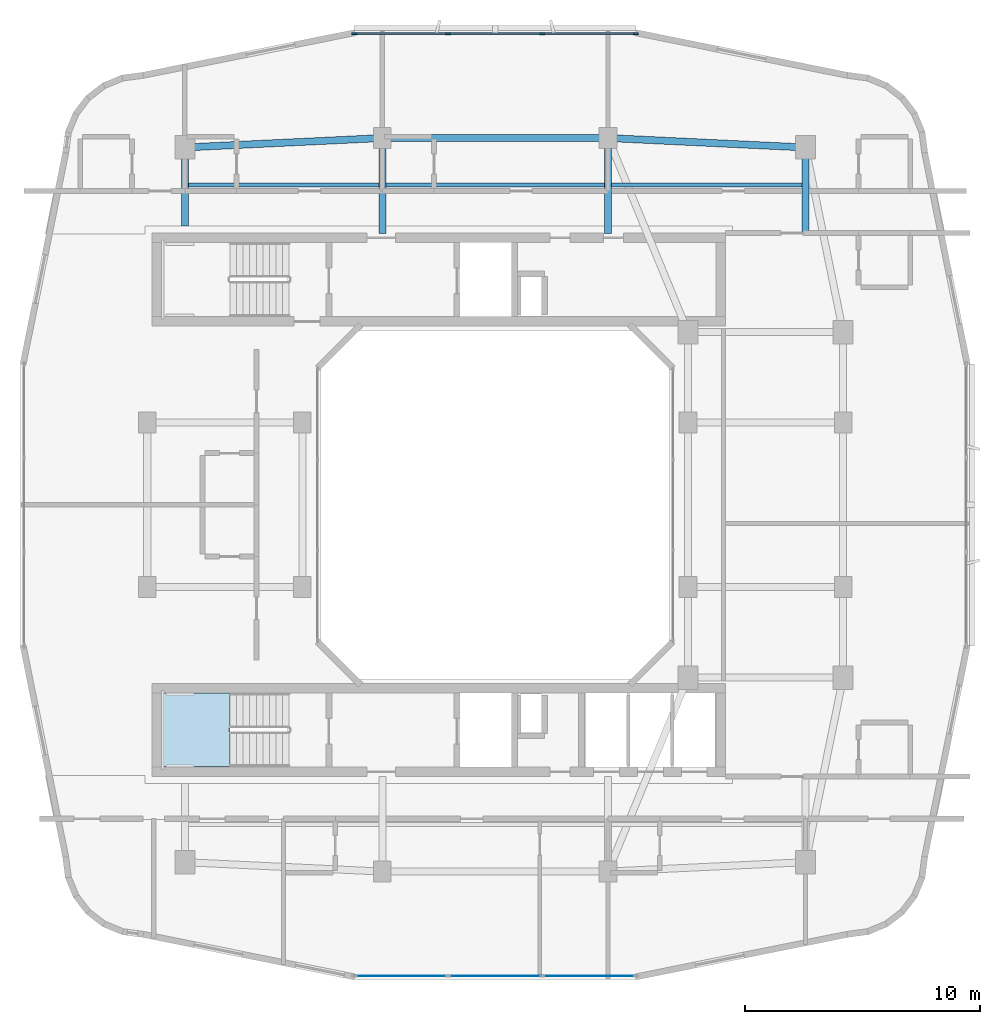
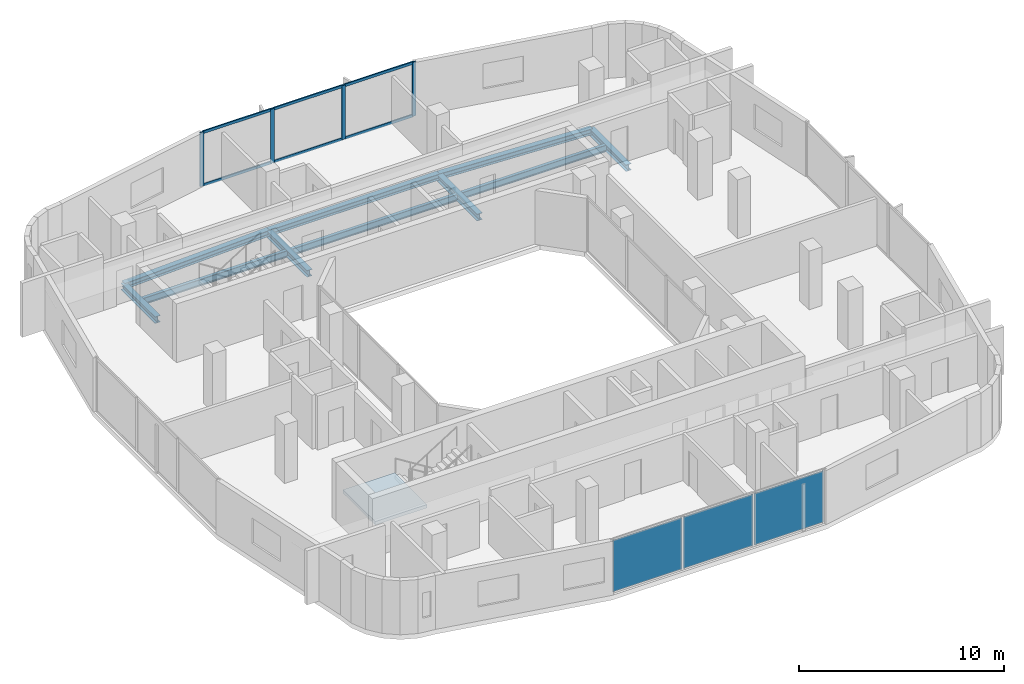
# One storey, part 5 of 14: 10 beams, 10 members, 3 plates, 1 slab, 3 elements without a shape of their own.
"""IFC4 building model written with IfcOpenShell, lengths in metres."""

from ifc_helpers import new_model, si_unit, derived_unit, direction, frame, origin, origin_2d, place, context, subcontext, project, spatial, polyline, rectangle, i_section, outline, extrude, material, layer, layer_set, material_profile, profile_set, type_object, element, aggregate, save


model = new_model("IFC4")

# Units and contexts
model_context = context("Model", 3, precision=1e-05, world=origin(), true_north=direction((0.0, 1.0)))
body_context = subcontext(model_context, "Body", "Model", "MODEL_VIEW")
ifc_project = project(units=[si_unit("LENGTHUNIT", "METRE"), si_unit("AREAUNIT", "SQUARE_METRE"), si_unit("VOLUMEUNIT", "CUBIC_METRE"), si_unit("PLANEANGLEUNIT", "RADIAN"), si_unit("MASSUNIT", "GRAM", prefix="KILO"), derived_unit("THERMALTRANSMITTANCEUNIT", [(si_unit("POWERUNIT", "WATT"), 1), (si_unit("LENGTHUNIT", "METRE"), -2), (si_unit("THERMODYNAMICTEMPERATUREUNIT", "KELVIN"), -1)])], contexts=[model_context])

# Site, building, storey
site_placement = place(None, origin())
site = spatial("IfcSite", under=ifc_project, at=site_placement, CompositionType="ELEMENT")
building_placement = place(site_placement, origin())
building = spatial("IfcBuilding", under=site, at=building_placement, Name="Kivonza Crest Hotel", CompositionType="ELEMENT")
storey_placement = place(building_placement, frame((0.0, 0.0, 159.0)))
storey = spatial("IfcBuildingStorey", under=building, at=storey_placement, Name="L43", CompositionType="ELEMENT", Elevation=159.0)

# Beams
ifc_material_1 = material(Name="Steel S355", Category="steel")
ifc_material_profile_1 = material_profile(ifc_material_1, i_section(OverallWidth=0.300048828125, OverallDepth=0.360107421875, WebThickness=0.012451171875, FlangeThickness=0.0224609375, FilletRadius=0.027099609375, at=origin_2d()), Name="HEB 360")
ifc_profile_set_1 = profile_set([ifc_material_profile_1], Name="Steel S355")
beam_type_1 = type_object("IfcBeamType", Name="BM-HEB360", PredefinedType="SPANDREL", material=ifc_profile_set_1)
beam_1_placement = place(storey_placement, frame((34.199951171875, 40.199951171875, -0.4599609375), z_axis=(-0.998867283688, 0.047583080799, 0.0), x_axis=(-0.047583080799, -0.998867283688, 0.0)))
element("IfcBeam", 1, at=beam_1_placement, inside=storey, type_object=beam_type_1, Name="Tower T1 L43 perimeter spandrel NE-N2", PredefinedType="SPANDREL", context=body_context, shape_type="SweptSolid", body=[
    extrude(i_section(OverallWidth=0.300048828125, OverallDepth=0.360107421875, WebThickness=0.012451171875, FlangeThickness=0.0224609375, FilletRadius=0.027099609375, at=origin_2d()), origin(), (0.0, 0.0, 1.0), 8.409423828125),
])
beam_2_placement = place(storey_placement, frame((25.800048828125, 40.60009765625, -0.4599609375), z_axis=(-1.0, 0.0, 0.0), x_axis=(0.0, -1.0, 0.0)))
element("IfcBeam", 2, at=beam_2_placement, inside=storey, type_object=beam_type_1, Name="Tower T1 L43 perimeter spandrel N2-N1", PredefinedType="SPANDREL", context=body_context, shape_type="SweptSolid", body=[
    extrude(i_section(OverallWidth=0.300048828125, OverallDepth=0.360107421875, WebThickness=0.012451171875, FlangeThickness=0.0224609375, FilletRadius=0.027099609375, at=origin_2d()), origin(), (0.0, 0.0, 1.0), 9.60009765625),
])
beam_3_placement = place(storey_placement, frame((16.199951171875, 40.60009765625, -0.4599609375), z_axis=(-0.998867283688, -0.047583080799, 0.0), x_axis=(0.047583080799, -0.998867283688, 0.0)))
element("IfcBeam", 3, at=beam_3_placement, inside=storey, type_object=beam_type_1, Name="Tower T1 L43 perimeter spandrel N1-NW", PredefinedType="SPANDREL", context=body_context, shape_type="SweptSolid", body=[
    extrude(i_section(OverallWidth=0.300048828125, OverallDepth=0.360107421875, WebThickness=0.012451171875, FlangeThickness=0.0224609375, FilletRadius=0.027099609375, at=origin_2d()), origin(), (0.0, 0.0, 1.0), 8.409423828125),
])
ifc_material_profile_2 = material_profile(ifc_material_1, i_section(OverallWidth=0.300048828125, OverallDepth=0.39990234375, WebThickness=0.013427734375, FlangeThickness=0.02392578125, FilletRadius=0.027099609375, at=origin_2d()), Name="HEB 400")
ifc_profile_set_2 = profile_set([ifc_material_profile_2], Name="Steel S355")
beam_type_2 = type_object("IfcBeamType", Name="BM-HEB400", PredefinedType="BEAM", material=ifc_profile_set_2)
beam_4_placement = place(storey_placement, frame((7.800048828125, 40.199951171875, -0.47998046875), z_axis=(0.0, -1.0, 0.0), x_axis=(1.0, 0.0, 0.0)))
element("IfcBeam", 4, at=beam_4_placement, inside=storey, type_object=beam_type_2, Name="Tower T1 L43 radial core girder RNW", PredefinedType="BEAM", context=body_context, shape_type="SweptSolid", body=[
    extrude(i_section(OverallWidth=0.300048828125, OverallDepth=0.39990234375, WebThickness=0.013427734375, FlangeThickness=0.02392578125, FilletRadius=0.027099609375, at=origin_2d()), origin(), (0.0, 0.0, 1.0), 3.349853515625),
])
for number, where, z_axis, x_axis, name in (
    (5, (16.199951171875, 40.60009765625, -0.47998046875), (0.0, -1.0, 0.0), (1.0, 0.0, 0.0), "Tower T1 L43 radial core girder RN1"),
    (6, (25.800048828125, 40.60009765625, -0.47998046875), (0.0, -1.0, 0.0), (1.0, 0.0, 0.0), "Tower T1 L43 radial core girder RN2"),
):
    element("IfcBeam", number, at=place(storey_placement, frame(where, z_axis=z_axis, x_axis=x_axis)), inside=storey, type_object=beam_type_2, Name=name, PredefinedType="BEAM", context=body_context, shape_type="SweptSolid", body=[
        extrude(i_section(OverallWidth=0.300048828125, OverallDepth=0.39990234375, WebThickness=0.013427734375, FlangeThickness=0.02392578125, FilletRadius=0.027099609375, at=origin_2d()), origin(), (0.0, 0.0, 1.0), 4.050048828125),
    ])
beam_5_placement = place(storey_placement, frame((34.199951171875, 40.199951171875, -0.47998046875), z_axis=(0.0, -1.0, 0.0), x_axis=(1.0, 0.0, 0.0)))
element("IfcBeam", 7, at=beam_5_placement, inside=storey, type_object=beam_type_2, Name="Tower T1 L43 radial core girder RNE", PredefinedType="BEAM", context=body_context, shape_type="SweptSolid", body=[
    extrude(i_section(OverallWidth=0.300048828125, OverallDepth=0.39990234375, WebThickness=0.013427734375, FlangeThickness=0.02392578125, FilletRadius=0.027099609375, at=origin_2d()), origin(), (0.0, 0.0, 1.0), 3.64990234375),
])
ifc_material_profile_3 = material_profile(ifc_material_1, i_section(OverallWidth=0.179931640625, OverallDepth=0.39990234375, WebThickness=0.008544921875, FlangeThickness=0.013427734375, FilletRadius=0.02099609375, at=origin_2d()), Name="IPE 400")
ifc_profile_set_3 = profile_set([ifc_material_profile_3], Name="Steel S355")
beam_type_3 = type_object("IfcBeamType", Name="BM-IPE400", PredefinedType="JOIST", material=ifc_profile_set_3)
beam_6_placement = place(storey_placement, frame((7.8798828125, 38.60009765625, -0.47998046875), z_axis=(1.0, 0.0, 0.0), x_axis=(0.0, 1.0, 0.0)))
element("IfcBeam", 8, at=beam_6_placement, inside=storey, type_object=beam_type_3, Name="Tower T1 L43 North-West floor joist", PredefinedType="JOIST", context=body_context, shape_type="SweptSolid", body=[
    extrude(i_section(OverallWidth=0.179931640625, OverallDepth=0.39990234375, WebThickness=0.008544921875, FlangeThickness=0.013427734375, FilletRadius=0.02099609375, at=origin_2d()), origin(), (0.0, 0.0, 1.0), 8.240234375),
])
beam_7_placement = place(storey_placement, frame((16.280029296875, 38.60009765625, -0.47998046875), z_axis=(1.0, 0.0, 0.0), x_axis=(0.0, 1.0, 0.0)))
element("IfcBeam", 9, at=beam_7_placement, inside=storey, type_object=beam_type_3, Name="Tower T1 L43 North-Mid floor joist", PredefinedType="JOIST", context=body_context, shape_type="SweptSolid", body=[
    extrude(i_section(OverallWidth=0.179931640625, OverallDepth=0.39990234375, WebThickness=0.008544921875, FlangeThickness=0.013427734375, FilletRadius=0.02099609375, at=origin_2d()), origin(), (0.0, 0.0, 1.0), 9.43994140625),
])
beam_8_placement = place(storey_placement, frame((25.8798828125, 38.60009765625, -0.47998046875), z_axis=(1.0, 0.0, 0.0), x_axis=(0.0, 1.0, 0.0)))
element("IfcBeam", 10, at=beam_8_placement, inside=storey, type_object=beam_type_3, Name="Tower T1 L43 North-East floor joist", PredefinedType="JOIST", context=body_context, shape_type="SweptSolid", body=[
    extrude(i_section(OverallWidth=0.179931640625, OverallDepth=0.39990234375, WebThickness=0.008544921875, FlangeThickness=0.013427734375, FilletRadius=0.02099609375, at=origin_2d()), origin(), (0.0, 0.0, 1.0), 8.240234375),
])

# Curtain wall, members
ifc_material_2 = material(Name="Anodised bronze aluminium and low-E double glazing", Category="aluminium")
ifc_layer_1 = layer(ifc_material_2, 0.179931640625)
ifc_layer_set_1 = layer_set([ifc_layer_1], Name="Anodised bronze aluminium and low-E double glazing")
curtain_wall_type = type_object("IfcCurtainWallType", Name="CW-SYS-3", PredefinedType="NOTDEFINED", material=ifc_layer_set_1)
curtain_wall_1_placement = place(storey_placement, origin())
curtain_wall_1 = element("IfcCurtainWall", 11, at=curtain_wall_1_placement, inside=storey, type_object=curtain_wall_type, Name="L43 unitised curtain wall CW-T1-L43-26", PredefinedType="NOTDEFINED")
ifc_material_3 = material(Name="Anodised bronze aluminium", Category="aluminium")
ifc_material_profile_4 = material_profile(ifc_material_3, rectangle(XDim=0.074951171875, YDim=0.219970703125, at=origin_2d()), Name="CW-M 75x220")
ifc_profile_set_4 = profile_set([ifc_material_profile_4], Name="Anodised bronze aluminium")
member_type_1 = type_object("IfcMemberType", Name="CW-MUL-75x220", PredefinedType="MULLION", material=ifc_profile_set_4)
member_1_placement = place(storey_placement, frame((26.982421875, 45.0400390625, 0.0), z_axis=(0.0, 0.0, 1.0), x_axis=(0.0, -1.0, 0.0)))
member_1 = element("IfcMember", 12, at=member_1_placement, type_object=member_type_1, Name="CW-3 mullion 1", PredefinedType="MULLION", context=body_context, shape_type="SweptSolid", body=[
    extrude(rectangle(XDim=0.074951171875, YDim=0.219970703125, at=origin_2d()), origin(), (0.0, 0.0, 1.0), 3.219970703125),
])
member_2_placement = place(storey_placement, frame((23.006591796875, 45.0400390625, 0.0), z_axis=(0.0, 0.0, 1.0), x_axis=(0.0, -1.0, 0.0)))
member_2 = element("IfcMember", 13, at=member_2_placement, type_object=member_type_1, Name="CW-3 mullion 2", PredefinedType="MULLION", context=body_context, shape_type="SweptSolid", body=[
    extrude(rectangle(XDim=0.074951171875, YDim=0.219970703125, at=origin_2d()), origin(), (0.0, 0.0, 1.0), 3.219970703125),
])
member_3_placement = place(storey_placement, frame((18.993408203125, 45.0400390625, 0.0), z_axis=(0.0, 0.0, 1.0), x_axis=(0.0, -1.0, 0.0)))
member_3 = element("IfcMember", 14, at=member_3_placement, type_object=member_type_1, Name="CW-3 mullion 3", PredefinedType="MULLION", context=body_context, shape_type="SweptSolid", body=[
    extrude(rectangle(XDim=0.074951171875, YDim=0.219970703125, at=origin_2d()), origin(), (0.0, 0.0, 1.0), 3.219970703125),
])
member_4_placement = place(storey_placement, frame((15.017578125, 45.0400390625, 0.0), z_axis=(0.0, 0.0, 1.0), x_axis=(0.0, -1.0, 0.0)))
member_4 = element("IfcMember", 15, at=member_4_placement, type_object=member_type_1, Name="CW-3 mullion 4", PredefinedType="MULLION", context=body_context, shape_type="SweptSolid", body=[
    extrude(rectangle(XDim=0.074951171875, YDim=0.219970703125, at=origin_2d()), origin(), (0.0, 0.0, 1.0), 3.219970703125),
])
ifc_material_profile_5 = material_profile(ifc_material_3, rectangle(XDim=0.074951171875, YDim=0.159912109375, at=origin_2d()), Name="CW-T 75x160")
ifc_profile_set_5 = profile_set([ifc_material_profile_5], Name="Anodised bronze aluminium")
member_type_2 = type_object("IfcMemberType", Name="CW-TRN-75x160", PredefinedType="USERDEFINED", material=ifc_profile_set_5)
member_5_placement = place(storey_placement, frame((26.945068359375, 45.0400390625, 0.03759765625), z_axis=(-1.0, 0.0, 0.0), x_axis=(0.0, -1.0, 0.0)))
member_5 = element("IfcMember", 16, at=member_5_placement, type_object=member_type_2, Name="CW-3 transom 1.1", ObjectType="TRANSOM", PredefinedType="USERDEFINED", context=body_context, shape_type="SweptSolid", body=[
    extrude(rectangle(XDim=0.074951171875, YDim=0.159912109375, at=origin_2d()), origin(), (0.0, 0.0, 1.0), 3.90087890625),
])
member_6_placement = place(storey_placement, frame((26.945068359375, 45.0400390625, 3.1826171875), z_axis=(-1.0, 0.0, 0.0), x_axis=(0.0, -1.0, 0.0)))
member_6 = element("IfcMember", 17, at=member_6_placement, type_object=member_type_2, Name="CW-3 transom 1.2", ObjectType="TRANSOM", PredefinedType="USERDEFINED", context=body_context, shape_type="SweptSolid", body=[
    extrude(rectangle(XDim=0.074951171875, YDim=0.159912109375, at=origin_2d()), origin(), (0.0, 0.0, 1.0), 3.90087890625),
])
member_7_placement = place(storey_placement, frame((22.96923828125, 45.0400390625, 0.03759765625), z_axis=(-1.0, 0.0, 0.0), x_axis=(0.0, -1.0, 0.0)))
member_7 = element("IfcMember", 18, at=member_7_placement, type_object=member_type_2, Name="CW-3 transom 2.1", ObjectType="TRANSOM", PredefinedType="USERDEFINED", context=body_context, shape_type="SweptSolid", body=[
    extrude(rectangle(XDim=0.074951171875, YDim=0.159912109375, at=origin_2d()), origin(), (0.0, 0.0, 1.0), 3.9384765625),
])
member_8_placement = place(storey_placement, frame((22.96923828125, 45.0400390625, 3.1826171875), z_axis=(-1.0, 0.0, 0.0), x_axis=(0.0, -1.0, 0.0)))
member_8 = element("IfcMember", 19, at=member_8_placement, type_object=member_type_2, Name="CW-3 transom 2.2", ObjectType="TRANSOM", PredefinedType="USERDEFINED", context=body_context, shape_type="SweptSolid", body=[
    extrude(rectangle(XDim=0.074951171875, YDim=0.159912109375, at=origin_2d()), origin(), (0.0, 0.0, 1.0), 3.9384765625),
])
member_9_placement = place(storey_placement, frame((18.955810546875, 45.0400390625, 0.03759765625), z_axis=(-1.0, 0.0, 0.0), x_axis=(0.0, -1.0, 0.0)))
member_9 = element("IfcMember", 20, at=member_9_placement, type_object=member_type_2, Name="CW-3 transom 3.1", ObjectType="TRANSOM", PredefinedType="USERDEFINED", context=body_context, shape_type="SweptSolid", body=[
    extrude(rectangle(XDim=0.074951171875, YDim=0.159912109375, at=origin_2d()), origin(), (0.0, 0.0, 1.0), 3.90087890625),
])
member_10_placement = place(storey_placement, frame((18.955810546875, 45.0400390625, 3.1826171875), z_axis=(-1.0, 0.0, 0.0), x_axis=(0.0, -1.0, 0.0)))
member_10 = element("IfcMember", 21, at=member_10_placement, type_object=member_type_2, Name="CW-3 transom 3.2", ObjectType="TRANSOM", PredefinedType="USERDEFINED", context=body_context, shape_type="SweptSolid", body=[
    extrude(rectangle(XDim=0.074951171875, YDim=0.159912109375, at=origin_2d()), origin(), (0.0, 0.0, 1.0), 3.90087890625),
])
aggregate(curtain_wall_1, [member_1, member_2, member_3, member_4, member_5, member_6, member_7, member_8, member_9, member_10])

# Curtain wall, plates
curtain_wall_2_placement = place(storey_placement, origin())
curtain_wall_2 = element("IfcCurtainWall", 22, at=curtain_wall_2_placement, inside=storey, type_object=curtain_wall_type, Name="L43 unitised curtain wall CW-T1-L43-08", PredefinedType="NOTDEFINED")
ifc_material_4 = material(Name="Acoustic triple-laminated low-E glazing", Category="glass")
ifc_layer_2 = layer(ifc_material_4, 0.035888671875)
ifc_layer_set_2 = layer_set([ifc_layer_2], Name="Acoustic triple-laminated low-E glazing")
plate_type = type_object("IfcPlateType", Name="CW-PNL-36", PredefinedType="CURTAIN_PANEL", material=ifc_layer_set_2)
plate_1_placement = place(storey_placement, frame((17.00537109375, 4.9599609375, 0.0751953125), z_axis=(0.0, 0.0, 1.0), x_axis=(1.0, 0.0, 0.0)))
plate_1 = element("IfcPlate", 23, at=plate_1_placement, type_object=plate_type, Name="CW-3 panel 1.1", PredefinedType="CURTAIN_PANEL", context=body_context, shape_type="SweptSolid", body=[
    extrude(rectangle(XDim=3.90087890625, YDim=0.035888671875, at=origin_2d()), origin(), (0.0, 0.0, 1.0), 3.070068359375),
])
plate_2_placement = place(storey_placement, frame((21.0, 4.9599609375, 0.0751953125), z_axis=(0.0, 0.0, 1.0), x_axis=(1.0, 0.0, 0.0)))
plate_2 = element("IfcPlate", 24, at=plate_2_placement, type_object=plate_type, Name="CW-3 panel 2.1", PredefinedType="CURTAIN_PANEL", context=body_context, shape_type="SweptSolid", body=[
    extrude(rectangle(XDim=3.938232421875, YDim=0.035888671875, at=origin_2d()), origin(), (0.0, 0.0, 1.0), 3.070068359375),
])
plate_3_placement = place(storey_placement, frame((24.99462890625, 4.9599609375, 0.0751953125), z_axis=(0.0, 0.0, 1.0), x_axis=(1.0, 0.0, 0.0)))
plate_3 = element("IfcPlate", 25, at=plate_3_placement, type_object=plate_type, Name="CW-3 panel 3.1", PredefinedType="CURTAIN_PANEL", context=body_context, shape_type="SweptSolid", body=[
    extrude(rectangle(XDim=3.90087890625, YDim=0.035888671875, at=origin_2d()), origin(), (0.0, 0.0, 1.0), 3.070068359375),
])
aggregate(curtain_wall_2, [plate_1, plate_2, plate_3])

# Stair, slab
ifc_material_5 = material(Name="Concrete C40/50", Category="concrete")
stair_type = type_object("IfcStairType", Name="ST-DL-20R", PredefinedType="HALF_TURN_STAIR", material=ifc_material_5)
stair_placement = place(storey_placement, origin())
stair = element("IfcStair", 26, at=stair_placement, inside=storey, type_object=stair_type, Name="L43 Protected Exit Stair ST-T1-S", PredefinedType="HALF_TURN_STAIR")
ifc_layer_3 = layer(ifc_material_5, 0.199951171875)
ifc_layer_set_3 = layer_set([ifc_layer_3], Name="Concrete C40/50")
slab_type = type_object("IfcSlabType", Name="SL-LAND-200", PredefinedType="LANDING", material=ifc_layer_set_3)
slab_placement = place(storey_placement, frame((0.0, 0.0, 1.550048828125)))
slab = element("IfcSlab", 27, at=slab_placement, type_object=slab_type, Name="ST-T1-S landing 1", PredefinedType="LANDING", context=body_context, shape_type="SweptSolid", body=[
    extrude(outline(polyline([(9.719970703125, 17.0), (6.800048828125, 17.0), (6.800048828125, 13.860107421875), (9.719970703125, 13.860107421875), (9.719970703125, 17.0)])), origin(), (0.0, 0.0, 1.0), 0.199951171875),
])
aggregate(stair, [slab])

save(model, "model.ifc")
